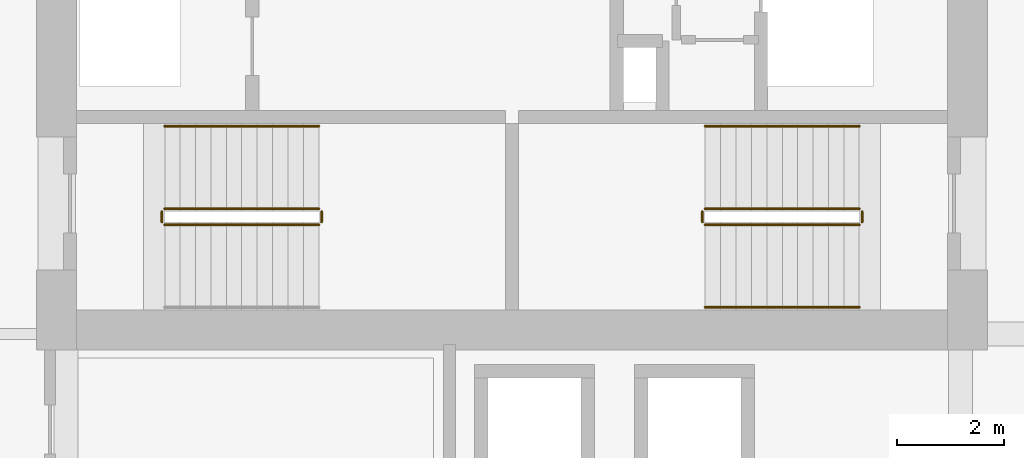
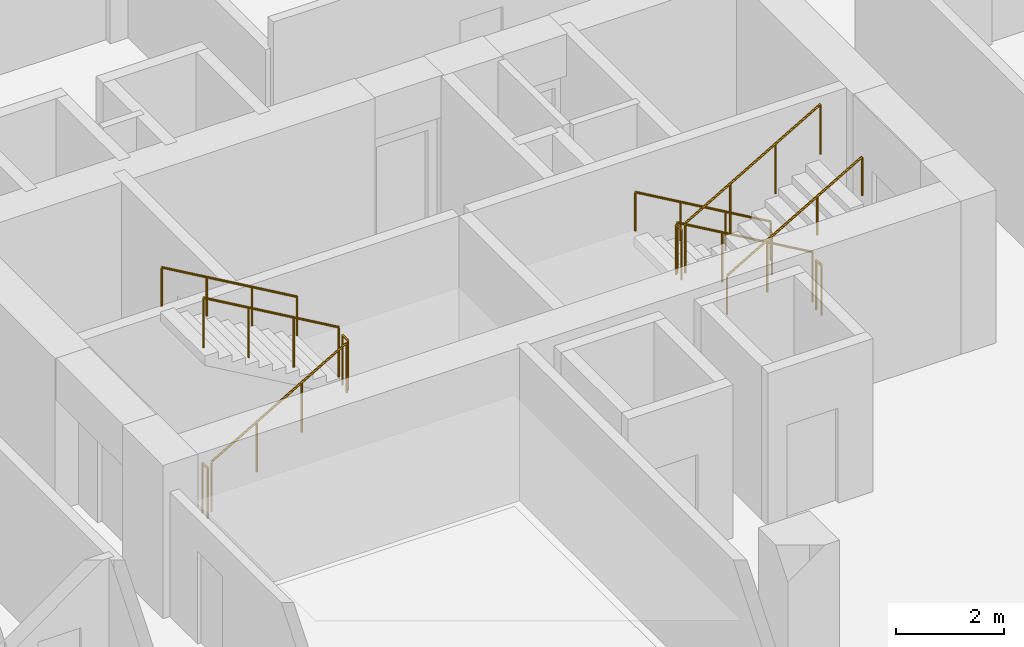
# One storey, part 20 of 22: 11 railings.
"""IFC4 building model written with IfcOpenShell, lengths in metres."""

from ifc_helpers import new_model, si_unit, direction, frame, origin, origin_2d, place, context, subcontext, project, spatial, circle, extrude, material, type_object, element, save


model = new_model("IFC4")

# Units and contexts
model_context = context("Model", 3, precision=1e-05, world=origin(), true_north=direction((0.0, 1.0)))
body_context = subcontext(model_context, "Body", "Model", "MODEL_VIEW")
ifc_project = project(units=[si_unit("LENGTHUNIT", "METRE"), si_unit("AREAUNIT", "SQUARE_METRE"), si_unit("VOLUMEUNIT", "CUBIC_METRE"), si_unit("PLANEANGLEUNIT", "RADIAN"), si_unit("MASSUNIT", "GRAM", prefix="KILO")], contexts=[model_context])

# Site, building, storey
site_placement = place(None, origin())
site = spatial("IfcSite", under=ifc_project, at=site_placement, CompositionType="ELEMENT")
building_placement = place(site_placement, origin())
building = spatial("IfcBuilding", under=site, at=building_placement, Name="Koriwani Terraces Tower", CompositionType="ELEMENT")
storey_placement = place(building_placement, frame((0.0, 0.0, 168.0)))
storey = spatial("IfcBuildingStorey", under=building, at=storey_placement, Name="L40", CompositionType="ELEMENT", Elevation=168.0)

# Railings
ifc_material = material(Name="Steel ASTM A572 Grade 50", Category="steel")
railing_type_1 = type_object("IfcRailingType", Name="GUARD_STAIR_WELL_1120", PredefinedType="GUARDRAIL", material=ifc_material)
railing_1_placement = place(storey_placement, frame((43.85009765625, 18.85009765625, 0.168212890625)))
element("IfcRailing", 1, at=railing_1_placement, inside=storey, type_object=railing_type_1, Name="L40 ST-E1 stair guard 1", PredefinedType="GUARDRAIL", context=body_context, shape_type="SweptSolid", body=[
    extrude(circle(Radius=0.02392578125, at=origin_2d()), frame((0.0, 0.0, 1.1259765625), z_axis=(0.865038774852, 0.0, 0.501705010941), x_axis=(0.0, 1.0, 0.0)), (0.0, 0.0, 1.0), 3.352294921875),
    extrude(circle(Radius=0.02099609375, at=origin_2d()), origin(), (0.0, 0.0, 1.0), 1.101806640625),
    extrude(circle(Radius=0.02099609375, at=origin_2d()), frame((0.966552734375, 0.0, 0.560546875)), (0.0, 0.0, 1.0), 1.101806640625),
    extrude(circle(Radius=0.02099609375, at=origin_2d()), frame((1.933349609375, 0.0, 1.121337890625)), (0.0, 0.0, 1.0), 1.101806640625),
    extrude(circle(Radius=0.02099609375, at=origin_2d()), frame((2.89990234375, 0.0, 1.681884765625)), (0.0, 0.0, 1.0), 1.101806640625),
])
railing_2_placement = place(storey_placement, frame((46.800048828125, 18.89990234375, 1.85009765625)))
element("IfcRailing", 2, at=railing_2_placement, inside=storey, type_object=railing_type_1, Name="L40 ST-E1 stair guard 2", PredefinedType="GUARDRAIL", context=body_context, shape_type="SweptSolid", body=[
    extrude(circle(Radius=0.02392578125, at=origin_2d()), frame((0.0, 0.0, 1.1259765625), z_axis=(0.0, 1.0, 0.0), x_axis=(-1.0, 0.0, 0.0)), (0.0, 0.0, 1.0), 0.2001953125),
    extrude(circle(Radius=0.02099609375, at=origin_2d()), origin(), (0.0, 0.0, 1.0), 1.101806640625),
    extrude(circle(Radius=0.02099609375, at=origin_2d()), frame((0.0, 0.2001953125, 0.0)), (0.0, 0.0, 1.0), 1.101806640625),
])
railing_3_placement = place(storey_placement, frame((46.75, 19.14990234375, 2.01806640625)))
element("IfcRailing", 3, at=railing_3_placement, inside=storey, type_object=railing_type_1, Name="L40 ST-E1 stair guard 3", PredefinedType="GUARDRAIL", context=body_context, shape_type="SweptSolid", body=[
    extrude(circle(Radius=0.02392578125, at=origin_2d()), frame((0.0, 0.0, 1.1259765625), z_axis=(-0.865038774852, 0.0, 0.501705010941), x_axis=(0.0, -1.0, 0.0)), (0.0, 0.0, 1.0), 3.352294921875),
    extrude(circle(Radius=0.02099609375, at=origin_2d()), origin(), (0.0, 0.0, 1.0), 1.101806640625),
    extrude(circle(Radius=0.02099609375, at=origin_2d()), frame((-0.966552734375, 0.0, 0.560546875)), (0.0, 0.0, 1.0), 1.101806640625),
    extrude(circle(Radius=0.02099609375, at=origin_2d()), frame((-1.933349609375, 0.0, 1.121337890625)), (0.0, 0.0, 1.0), 1.101806640625),
    extrude(circle(Radius=0.02099609375, at=origin_2d()), frame((-2.89990234375, 0.0, 1.681884765625)), (0.0, 0.0, 1.0), 1.101806640625),
])
railing_4_placement = place(storey_placement, frame((43.800048828125, 18.89990234375, 0.0)))
element("IfcRailing", 4, at=railing_4_placement, inside=storey, type_object=railing_type_1, Name="L40 ST-E1 stair guard 4", PredefinedType="GUARDRAIL", context=body_context, shape_type="SweptSolid", body=[
    extrude(circle(Radius=0.02392578125, at=origin_2d()), frame((0.0, 0.0, 1.1259765625), z_axis=(0.0, 1.0, 0.0), x_axis=(-1.0, 0.0, 0.0)), (0.0, 0.0, 1.0), 0.2001953125),
    extrude(circle(Radius=0.02099609375, at=origin_2d()), origin(), (0.0, 0.0, 1.0), 1.101806640625),
    extrude(circle(Radius=0.02099609375, at=origin_2d()), frame((0.0, 0.2001953125, 0.0)), (0.0, 0.0, 1.0), 1.101806640625),
])
railing_5_placement = place(storey_placement, frame((56.89990234375, 19.14990234375, 0.168212890625)))
element("IfcRailing", 5, at=railing_5_placement, inside=storey, type_object=railing_type_1, Name="L40 ST-E2 stair guard 1", PredefinedType="GUARDRAIL", context=body_context, shape_type="SweptSolid", body=[
    extrude(circle(Radius=0.02392578125, at=origin_2d()), frame((0.0, 0.0, 1.1259765625), z_axis=(-0.865038774852, 0.0, 0.501705010941), x_axis=(0.0, -1.0, 0.0)), (0.0, 0.0, 1.0), 3.352294921875),
    extrude(circle(Radius=0.02099609375, at=origin_2d()), origin(), (0.0, 0.0, 1.0), 1.101806640625),
    extrude(circle(Radius=0.02099609375, at=origin_2d()), frame((-0.966552734375, 0.0, 0.560546875)), (0.0, 0.0, 1.0), 1.101806640625),
    extrude(circle(Radius=0.02099609375, at=origin_2d()), frame((-1.933349609375, 0.0, 1.121337890625)), (0.0, 0.0, 1.0), 1.101806640625),
    extrude(circle(Radius=0.02099609375, at=origin_2d()), frame((-2.89990234375, 0.0, 1.681884765625)), (0.0, 0.0, 1.0), 1.101806640625),
])
railing_6_placement = place(storey_placement, frame((53.949951171875, 19.10009765625, 1.85009765625)))
element("IfcRailing", 6, at=railing_6_placement, inside=storey, type_object=railing_type_1, Name="L40 ST-E2 stair guard 2", PredefinedType="GUARDRAIL", context=body_context, shape_type="SweptSolid", body=[
    extrude(circle(Radius=0.02392578125, at=origin_2d()), frame((0.0, 0.0, 1.1259765625), z_axis=(0.0, -1.0, 0.0), x_axis=(1.0, 0.0, 0.0)), (0.0, 0.0, 1.0), 0.2001953125),
    extrude(circle(Radius=0.02099609375, at=origin_2d()), origin(), (0.0, 0.0, 1.0), 1.101806640625),
    extrude(circle(Radius=0.02099609375, at=origin_2d()), frame((0.0, -0.2001953125, 0.0)), (0.0, 0.0, 1.0), 1.101806640625),
])
railing_7_placement = place(storey_placement, frame((54.0, 18.85009765625, 2.01806640625)))
element("IfcRailing", 7, at=railing_7_placement, inside=storey, type_object=railing_type_1, Name="L40 ST-E2 stair guard 3", PredefinedType="GUARDRAIL", context=body_context, shape_type="SweptSolid", body=[
    extrude(circle(Radius=0.02392578125, at=origin_2d()), frame((0.0, 0.0, 1.1259765625), z_axis=(0.865038774852, 0.0, 0.501705010941), x_axis=(0.0, 1.0, 0.0)), (0.0, 0.0, 1.0), 3.352294921875),
    extrude(circle(Radius=0.02099609375, at=origin_2d()), origin(), (0.0, 0.0, 1.0), 1.101806640625),
    extrude(circle(Radius=0.02099609375, at=origin_2d()), frame((0.966552734375, 0.0, 0.560546875)), (0.0, 0.0, 1.0), 1.101806640625),
    extrude(circle(Radius=0.02099609375, at=origin_2d()), frame((1.933349609375, 0.0, 1.121337890625)), (0.0, 0.0, 1.0), 1.101806640625),
    extrude(circle(Radius=0.02099609375, at=origin_2d()), frame((2.89990234375, 0.0, 1.681884765625)), (0.0, 0.0, 1.0), 1.101806640625),
])
railing_8_placement = place(storey_placement, frame((56.949951171875, 19.10009765625, 0.0)))
element("IfcRailing", 8, at=railing_8_placement, inside=storey, type_object=railing_type_1, Name="L40 ST-E2 stair guard 4", PredefinedType="GUARDRAIL", context=body_context, shape_type="SweptSolid", body=[
    extrude(circle(Radius=0.02392578125, at=origin_2d()), frame((0.0, 0.0, 1.1259765625), z_axis=(0.0, -1.0, 0.0), x_axis=(1.0, 0.0, 0.0)), (0.0, 0.0, 1.0), 0.2001953125),
    extrude(circle(Radius=0.02099609375, at=origin_2d()), origin(), (0.0, 0.0, 1.0), 1.101806640625),
    extrude(circle(Radius=0.02099609375, at=origin_2d()), frame((0.0, -0.2001953125, 0.0)), (0.0, 0.0, 1.0), 1.101806640625),
])
railing_type_2 = type_object("IfcRailingType", Name="HANDRAIL_STAIR_920", PredefinedType="HANDRAIL", material=ifc_material)
for number, where, name in (
    (9, (46.75, 20.699951171875, 2.01806640625), "L40 ST-E1 stair handrail 2"),
    (10, (56.89990234375, 20.699951171875, 0.168212890625), "L40 ST-E2 stair handrail 1"),
):
    element("IfcRailing", number, at=place(storey_placement, frame(where)), inside=storey, type_object=railing_type_2, Name=name, PredefinedType="HANDRAIL", context=body_context, shape_type="SweptSolid", body=[
        extrude(circle(Radius=0.02392578125, at=origin_2d()), frame((0.0, 0.0, 0.8759765625), z_axis=(-0.865038774852, 0.0, 0.501705010941), x_axis=(0.0, -1.0, 0.0)), (0.0, 0.0, 1.0), 3.352294921875),
        extrude(circle(Radius=0.02099609375, at=origin_2d()), origin(), (0.0, 0.0, 1.0), 0.851806640625),
        extrude(circle(Radius=0.02099609375, at=origin_2d()), frame((-0.966552734375, 0.0, 0.560546875)), (0.0, 0.0, 1.0), 0.851806640625),
        extrude(circle(Radius=0.02099609375, at=origin_2d()), frame((-1.933349609375, 0.0, 1.121337890625)), (0.0, 0.0, 1.0), 0.851806640625),
        extrude(circle(Radius=0.02099609375, at=origin_2d()), frame((-2.89990234375, 0.0, 1.681884765625)), (0.0, 0.0, 1.0), 0.851806640625),
    ])
railing_9_placement = place(storey_placement, frame((54.0, 17.300048828125, 2.01806640625)))
element("IfcRailing", 11, at=railing_9_placement, inside=storey, type_object=railing_type_2, Name="L40 ST-E2 stair handrail 2", PredefinedType="HANDRAIL", context=body_context, shape_type="SweptSolid", body=[
    extrude(circle(Radius=0.02392578125, at=origin_2d()), frame((0.0, 0.0, 0.8759765625), z_axis=(0.865038774852, 0.0, 0.501705010941), x_axis=(0.0, 1.0, 0.0)), (0.0, 0.0, 1.0), 3.352294921875),
    extrude(circle(Radius=0.02099609375, at=origin_2d()), origin(), (0.0, 0.0, 1.0), 0.851806640625),
    extrude(circle(Radius=0.02099609375, at=origin_2d()), frame((0.966552734375, 0.0, 0.560546875)), (0.0, 0.0, 1.0), 0.851806640625),
    extrude(circle(Radius=0.02099609375, at=origin_2d()), frame((1.933349609375, 0.0, 1.121337890625)), (0.0, 0.0, 1.0), 0.851806640625),
    extrude(circle(Radius=0.02099609375, at=origin_2d()), frame((2.89990234375, 0.0, 1.681884765625)), (0.0, 0.0, 1.0), 0.851806640625),
])

save(model, "model.ifc")
